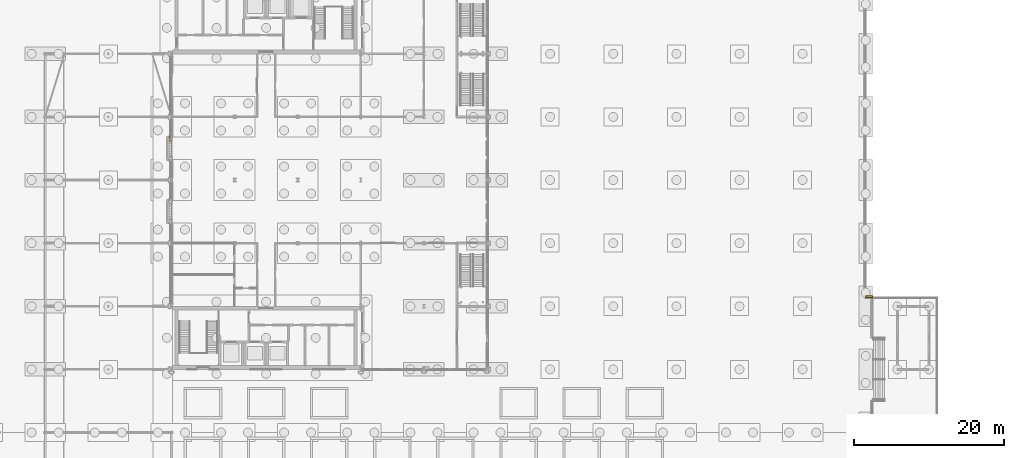
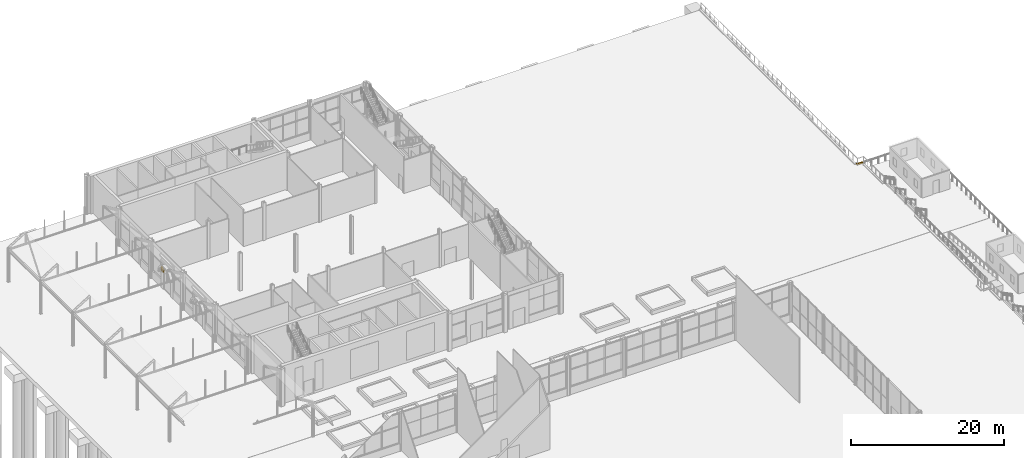
# One storey, part 210 of 212: 3 coverings.
"""IFC4 building model written with IfcOpenShell, lengths in metres."""

from ifc_helpers import new_model, si_unit, direction, frame, origin, origin_2d, place, context, subcontext, project, spatial, polyline, rectangle, outline, extrude, material, layer, layer_set, type_object, element, save


model = new_model("IFC4")

# Units and contexts
model_context = context("Model", 3, precision=1e-05, world=origin(), true_north=direction((0.0, 1.0)))
body_context = subcontext(model_context, "Body", "Model", "MODEL_VIEW")
ifc_project = project(units=[si_unit("LENGTHUNIT", "METRE"), si_unit("AREAUNIT", "SQUARE_METRE"), si_unit("VOLUMEUNIT", "CUBIC_METRE"), si_unit("PLANEANGLEUNIT", "RADIAN"), si_unit("MASSUNIT", "GRAM", prefix="KILO")], contexts=[model_context])

# Site, building, storey
site_placement = place(None, origin())
site = spatial("IfcSite", under=ifc_project, at=site_placement, CompositionType="ELEMENT")
building_placement = place(site_placement, origin())
building = spatial("IfcBuilding", under=site, at=building_placement, Name="Catenary Quay Ferry Terminal", CompositionType="ELEMENT")
storey_placement = place(building_placement, origin())
storey = spatial("IfcBuildingStorey", under=building, at=storey_placement, Name="L00", CompositionType="ELEMENT", Elevation=0.0)

# Coverings
ifc_material_1 = material(Name="Pale glazed ceramic tile")
ifc_layer_1 = layer(ifc_material_1, 0.0400390625)
ifc_layer_set_1 = layer_set([ifc_layer_1], Name="AR1")
covering_type_1 = type_object("IfcCoveringType", Name="AR1", PredefinedType="CLADDING", material=ifc_layer_set_1)
covering_1_placement = place(storey_placement, frame((25.10009765625, 190.64990234375, 2.699951171875), z_axis=(1.0, 0.0, 0.0), x_axis=(0.0, -0.097336953379, 0.995251484554)))
element("IfcCovering", 1, at=covering_1_placement, inside=storey, type_object=covering_type_1, Name="Archivolt band, lobby door", PredefinedType="CLADDING", context=body_context, shape_type="SweptSolid", body=[
    extrude(outline(polyline([(0.0, 0.0), (0.3235579040802213, 0.0), (0.25433622891081464, 0.6968142382672599), (0.0681311145846687, 0.6966274429238606), (0.0, 0.0)])), origin(), (0.0, 0.0, -1.0), 0.114990234375),
])
covering_2_placement = place(storey_placement, frame((25.10009765625, 190.618408203125, 3.02197265625), z_axis=(1.0, 0.0, 0.0), x_axis=(0.0, -0.290740886756, 0.956801827323)))
element("IfcCovering", 2, at=covering_2_placement, inside=storey, type_object=covering_type_1, Name="Archivolt band, lobby door", PredefinedType="CLADDING", context=body_context, shape_type="SweptSolid", body=[
    extrude(outline(polyline([(0.0, 0.0), (0.32329178628396105, 0.0), (0.25506937525912793, 0.6966579085325758), (0.06885866482974484, 0.6968502043072854), (0.0, 0.0)])), origin(), (0.0, 0.0, -1.0), 0.114990234375),
])
ifc_material_2 = material(Name="Precast concrete C35/45", Category="concrete")
ifc_layer_2 = layer(ifc_material_2, 0.14990234375)
ifc_layer_set_2 = layer_set([ifc_layer_2], Name="KB1")
covering_type_2 = type_object("IfcCoveringType", Name="KB1", PredefinedType="FLOORING", material=ifc_layer_set_2)
covering_3_placement = place(storey_placement, frame((118.06005859375, 169.27001953125, 0.0), z_axis=(0.0, 0.0, 1.0), x_axis=(1.0, 0.0, 0.0)))
element("IfcCovering", 3, at=covering_3_placement, inside=storey, type_object=covering_type_2, Name="Edge kerb upstand", PredefinedType="FLOORING", context=body_context, shape_type="SweptSolid", body=[
    extrude(rectangle(XDim=0.919921875, YDim=0.219970703125, at=origin_2d()), origin(), (0.0, 0.0, 1.0), 0.14990234375),
])

save(model, "model.ifc")
